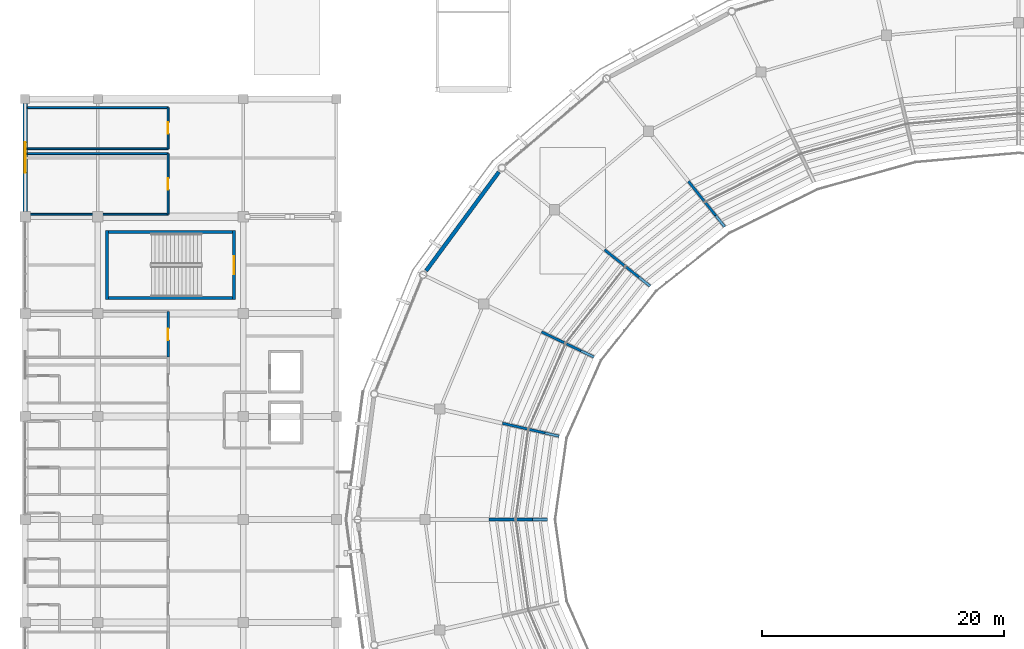
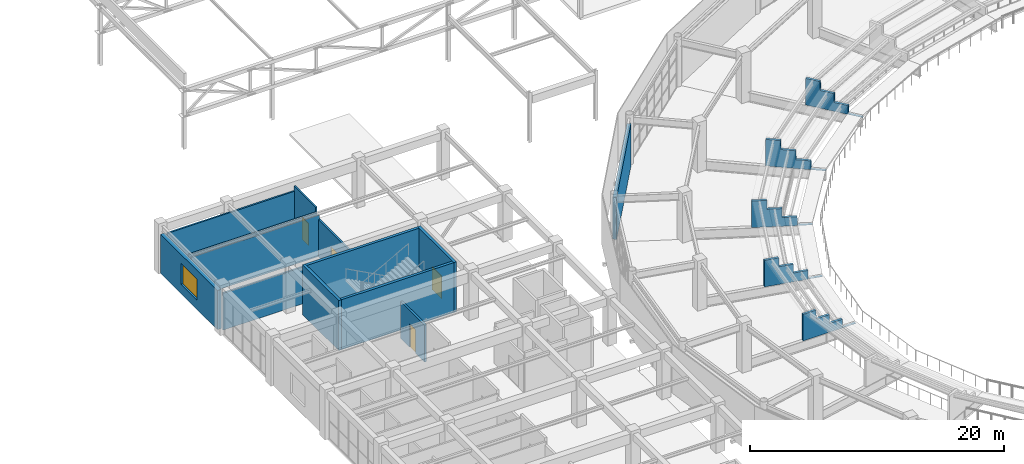
# One storey, part 98 of 122: 18 walls, 4 doors, 1 window, 5 openings.
"""IFC4 building model written with IfcOpenShell, lengths in metres."""

from ifc_helpers import new_model, si_unit, direction, frame, frame_2d, origin, place, context, subcontext, project, spatial, polyline, rectangle, outline, extrude, material, layer, layer_set, type_object, element, fill, save


model = new_model("IFC4")

# Units and contexts
model_context = context("Model", 3, precision=1e-05, world=origin(), true_north=direction((0.0, 1.0)))
body_context = subcontext(model_context, "Body", "Model", "MODEL_VIEW")
ifc_project = project(units=[si_unit("LENGTHUNIT", "METRE"), si_unit("AREAUNIT", "SQUARE_METRE"), si_unit("VOLUMEUNIT", "CUBIC_METRE"), si_unit("PLANEANGLEUNIT", "RADIAN"), si_unit("MASSUNIT", "GRAM", prefix="KILO")], contexts=[model_context])

# Site, building, storey
site_placement = place(None, origin())
site = spatial("IfcSite", under=ifc_project, at=site_placement, CompositionType="ELEMENT")
building_placement = place(site_placement, origin())
building = spatial("IfcBuilding", under=site, at=building_placement, Name="Cuetzalor Civic Arena", CompositionType="ELEMENT")
storey_placement = place(building_placement, frame((0.0, 0.0, 16.199951171875)))
storey = spatial("IfcBuildingStorey", under=building, at=storey_placement, Name="L03", CompositionType="ELEMENT", Elevation=16.199951171875)

# Walls
ifc_material_1 = material(Name="Acoustic steel-stud gypsum partition", Category="steel")
ifc_layer_1 = layer(ifc_material_1, 0.14990234375)
ifc_layer_set_1 = layer_set([ifc_layer_1], Name="Acoustic steel-stud gypsum partition")
wall_type_1 = type_object("IfcWallType", Name="AcousticGypsumPartition_150", PredefinedType="PARTITIONING", material=ifc_layer_set_1)
wall_1_placement = place(storey_placement, frame((-81.820068359375, 30.199951171875, 0.0), z_axis=(0.0, 0.0, 1.0), x_axis=(1.0, 0.0, 0.0)))
element("IfcWall", 1, at=wall_1_placement, inside=storey, type_object=wall_type_1, Name="Interior Partition IWALL:L03:0432", PredefinedType="PARTITIONING", context=body_context, shape_type="SweptSolid", body=[
    extrude(rectangle(XDim=11.6201171875, YDim=0.14990234375, at=frame_2d((5.81005859375, 0.0))), origin(), (0.0, 0.0, 1.0), 3.962158203125),
])
wall_2_placement = place(storey_placement, frame((-70.199951171875, 25.199951171875, 0.0), z_axis=(0.0, 0.0, 1.0), x_axis=(-1.0, 0.0, 0.0)))
element("IfcWall", 2, at=wall_2_placement, inside=storey, type_object=wall_type_1, Name="Interior Partition IWALL:L03:0433", PredefinedType="PARTITIONING", context=body_context, shape_type="SweptSolid", body=[
    extrude(rectangle(XDim=11.6201171875, YDim=0.14990234375, at=frame_2d((5.81005859375, 0.0))), origin(), (0.0, 0.0, 1.0), 3.545166015625),
])

# Wall, opening, door
wall_3_placement = place(storey_placement, frame((-70.199951171875, 30.199951171875, 0.0), z_axis=(0.0, 0.0, 1.0), x_axis=(0.0, -1.0, 0.0)))
wall_3 = element("IfcWall", 3, at=wall_3_placement, inside=storey, type_object=wall_type_1, Name="Interior Partition IWALL:L03:0434", PredefinedType="PARTITIONING", context=body_context, shape_type="SweptSolid", body=[
    extrude(rectangle(XDim=5.0, YDim=0.14990234375, at=frame_2d((2.5, 0.0))), origin(), (0.0, 0.0, 1.0), 3.545166015625),
])
opening_1_placement = place(wall_3_placement, frame((2.02490234375, 0.0, 0.0)))
opening_1 = element("IfcOpeningElement", 4, at=opening_1_placement, cuts=wall_3, Name="Opening ID-03", PredefinedType="OPENING", context=body_context, shape_type="SweptSolid", body=[
    extrude(rectangle(XDim=0.949951171875, YDim=2.14990234375, at=frame_2d((0.47509765625, 1.074951171875))), frame((0.0, 0.0849609375, 0.0), z_axis=(0.0, -1.0, 0.0), x_axis=(1.0, 0.0, 0.0)), (0.0, 0.0, 1.0), 0.169921875),
])
ifc_material_2 = material(Name="Painted steel frame and solid timber leaf", Category="steel")
door_type_1 = type_object("IfcDoorType", Name="InteriorSingleDoor_950x2150", OperationType="NOTDEFINED", PredefinedType="DOOR", material=ifc_material_2)
door_1_placement = place(opening_1_placement, origin())
door_1 = element("IfcDoor", 5, at=door_1_placement, inside=storey, type_object=door_type_1, Name="Door to Public Restroom West L03", OperationType="SINGLE_SWING_LEFT", OverallHeight=2.14990234375, OverallWidth=0.949951171875, PredefinedType="DOOR", context=body_context, shape_type="SweptSolid", body=[
    extrude(rectangle(XDim=0.949951171875, YDim=2.14990234375, at=frame_2d((0.47509765625, 1.074951171875))), frame((0.0, 0.02490234375, 0.0), z_axis=(0.0, -1.0, 0.0), x_axis=(1.0, 0.0, 0.0)), (0.0, 0.0, 1.0), 0.050048828125),
])
fill(opening_1, door_1)

# Walls
for number, where, z_axis, x_axis, name in (
    (6, (-81.820068359375, 34.0, 0.0), (0.0, 0.0, 1.0), (1.0, 0.0, 0.0), "Interior Partition IWALL:L03:0435"),
    (7, (-70.199951171875, 30.60009765625, 0.0), (0.0, 0.0, 1.0), (-1.0, 0.0, 0.0), "Interior Partition IWALL:L03:0436"),
):
    element("IfcWall", number, at=place(storey_placement, frame(where, z_axis=z_axis, x_axis=x_axis)), inside=storey, type_object=wall_type_1, Name=name, PredefinedType="PARTITIONING", context=body_context, shape_type="SweptSolid", body=[
        extrude(rectangle(XDim=11.6201171875, YDim=0.14990234375, at=frame_2d((5.81005859375, 0.0))), origin(), (0.0, 0.0, 1.0), 3.962158203125),
    ])

# Wall, opening, door
wall_4_placement = place(storey_placement, frame((-70.199951171875, 34.0, 0.0), z_axis=(0.0, 0.0, 1.0), x_axis=(0.0, -1.0, 0.0)))
wall_4 = element("IfcWall", 8, at=wall_4_placement, inside=storey, type_object=wall_type_1, Name="Interior Partition IWALL:L03:0437", PredefinedType="PARTITIONING", context=body_context, shape_type="SweptSolid", body=[
    extrude(rectangle(XDim=3.39990234375, YDim=0.14990234375, at=frame_2d((1.699951171875, 0.0))), origin(), (0.0, 0.0, 1.0), 4.43994140625),
])
opening_2_placement = place(wall_4_placement, frame((1.22509765625, 0.0, 0.0)))
opening_2 = element("IfcOpeningElement", 9, at=opening_2_placement, cuts=wall_4, Name="Opening ID-03", PredefinedType="OPENING", context=body_context, shape_type="SweptSolid", body=[
    extrude(rectangle(XDim=0.949951171875, YDim=2.14990234375, at=frame_2d((0.47509765625, 1.074951171875))), frame((0.0, 0.0849609375, 0.0), z_axis=(0.0, -1.0, 0.0), x_axis=(1.0, 0.0, 0.0)), (0.0, 0.0, 1.0), 0.169921875),
])
door_2_placement = place(opening_2_placement, origin())
door_2 = element("IfcDoor", 10, at=door_2_placement, inside=storey, type_object=door_type_1, Name="Door to Accessible WC West L03", OperationType="SINGLE_SWING_RIGHT", OverallHeight=2.14990234375, OverallWidth=0.949951171875, PredefinedType="DOOR", context=body_context, shape_type="SweptSolid", body=[
    extrude(rectangle(XDim=0.949951171875, YDim=2.14990234375, at=frame_2d((0.47509765625, 1.074951171875))), frame((0.0, 0.02490234375, 0.0), z_axis=(0.0, -1.0, 0.0), x_axis=(1.0, 0.0, 0.0)), (0.0, 0.0, 1.0), 0.050048828125),
])
fill(opening_2, door_2)

# Walls
ifc_material_3 = material(Name="Concrete C40/50", Category="concrete")
ifc_layer_2 = layer(ifc_material_3, 0.25)
ifc_layer_set_2 = layer_set([ifc_layer_2], Name="Concrete C40/50")
wall_type_2 = type_object("IfcWallType", Name="ConcreteCoreShearWall_250", PredefinedType="SHEAR", material=ifc_layer_set_2)
wall_5_placement = place(storey_placement, frame((-75.22509765625, 18.14990234375, 0.0), z_axis=(0.0, 0.0, 1.0), x_axis=(0.0, 1.0, 0.0)))
element("IfcWall", 11, at=wall_5_placement, inside=storey, type_object=wall_type_2, Name="Stair Core Shear Wall ST-17-L03-W", PredefinedType="SHEAR", context=body_context, shape_type="SweptSolid", body=[
    extrude(rectangle(XDim=5.7001953125, YDim=0.25, at=frame_2d((2.85009765625, 0.0))), origin(), (0.0, 0.0, 1.0), 4.800048828125),
])
wall_6_placement = place(storey_placement, frame((-75.10009765625, 23.72509765625, 0.0), z_axis=(0.0, 0.0, 1.0), x_axis=(1.0, 0.0, 0.0)))
element("IfcWall", 12, at=wall_6_placement, inside=storey, type_object=wall_type_2, Name="Stair Core Shear Wall ST-17-L03-N", PredefinedType="SHEAR", context=body_context, shape_type="SweptSolid", body=[
    extrude(rectangle(XDim=10.2001953125, YDim=0.25, at=frame_2d((5.10009765625, 0.0))), origin(), (0.0, 0.0, 1.0), 4.800048828125),
])

# Wall, opening, door
wall_7_placement = place(storey_placement, frame((-64.77490234375, 23.85009765625, 0.0), z_axis=(0.0, 0.0, 1.0), x_axis=(0.0, -1.0, 0.0)))
wall_7 = element("IfcWall", 13, at=wall_7_placement, inside=storey, type_object=wall_type_2, Name="Stair Core Shear Wall ST-17-L03-E", PredefinedType="SHEAR", context=body_context, shape_type="SweptSolid", body=[
    extrude(rectangle(XDim=5.7001953125, YDim=0.25, at=frame_2d((2.85009765625, 0.0))), origin(), (0.0, 0.0, 1.0), 4.800048828125),
])
opening_3_placement = place(wall_7_placement, frame((2.10009765625, 0.0, 0.0)))
opening_3 = element("IfcOpeningElement", 14, at=opening_3_placement, cuts=wall_7, Name="Opening FD-03", PredefinedType="OPENING", context=body_context, shape_type="SweptSolid", body=[
    extrude(rectangle(XDim=1.5, YDim=2.199951171875, at=frame_2d((0.75, 1.10009765625))), frame((0.0, 0.135009765625, 0.0), z_axis=(0.0, -1.0, 0.0), x_axis=(1.0, 0.0, 0.0)), (0.0, 0.0, 1.0), 0.27001953125),
])
ifc_material_4 = material(Name="Fire-rated steel stair exit double door", Category="steel")
door_type_2 = type_object("IfcDoorType", Name="StairFireDoubleDoor_1500x2200", OperationType="DOUBLE_DOOR_SINGLE_SWING", PredefinedType="DOOR", material=ifc_material_4)
door_3_placement = place(opening_3_placement, origin())
door_3 = element("IfcDoor", 15, at=door_3_placement, inside=storey, type_object=door_type_2, Name="Fire Stair Door ST-17 L03", OperationType="DOUBLE_DOOR_SINGLE_SWING", OverallHeight=2.199951171875, OverallWidth=1.5, PredefinedType="DOOR", context=body_context, shape_type="SweptSolid", body=[
    extrude(rectangle(XDim=1.5, YDim=2.199951171875, at=frame_2d((0.75, 1.10009765625))), frame((0.0, 0.02490234375, 0.0), z_axis=(0.0, -1.0, 0.0), x_axis=(1.0, 0.0, 0.0)), (0.0, 0.0, 1.0), 0.050048828125),
])
fill(opening_3, door_3)

# Wall
wall_8_placement = place(storey_placement, frame((-64.89990234375, 18.27490234375, 0.0), z_axis=(0.0, 0.0, 1.0), x_axis=(-1.0, 0.0, 0.0)))
element("IfcWall", 16, at=wall_8_placement, inside=storey, type_object=wall_type_2, Name="Stair Core Shear Wall ST-17-L03-S", PredefinedType="SHEAR", context=body_context, shape_type="SweptSolid", body=[
    extrude(rectangle(XDim=10.2001953125, YDim=0.25, at=frame_2d((5.10009765625, 0.0))), origin(), (0.0, 0.0, 1.0), 4.800048828125),
])

# Wall, opening, door
ifc_material_5 = material(Name="Fire-rated masonry and gypsum partition", Category="masonry")
ifc_layer_3 = layer(ifc_material_5, 0.199951171875)
ifc_layer_set_3 = layer_set([ifc_layer_3], Name="Fire-rated masonry and gypsum partition")
wall_type_3 = type_object("IfcWallType", Name="FireCompartmentWall_200", PredefinedType="PARTITIONING", material=ifc_layer_set_3)
wall_9_placement = place(storey_placement, frame((-70.199951171875, 17.179931640625, 0.0), z_axis=(0.0, 0.0, 1.0), x_axis=(0.0, -1.0, 0.0)))
wall_9 = element("IfcWall", 17, at=wall_9_placement, inside=storey, type_object=wall_type_3, Name="Interior Partition IWALL:L03:0430", PredefinedType="PARTITIONING", context=body_context, shape_type="SweptSolid", body=[
    extrude(rectangle(XDim=3.780029296875, YDim=0.199951171875, at=frame_2d((1.89013671875, 0.0))), origin(), (0.0, 0.0, 1.0), 3.545166015625),
])
opening_4_placement = place(wall_9_placement, frame((1.4150390625, 0.0, 0.0)))
opening_4 = element("IfcOpeningElement", 18, at=opening_4_placement, cuts=wall_9, Name="Opening ID-05", PredefinedType="OPENING", context=body_context, shape_type="SweptSolid", body=[
    extrude(rectangle(XDim=0.949951171875, YDim=2.25, at=frame_2d((0.47509765625, 1.125))), frame((0.0, 0.10986328125, 0.0), z_axis=(0.0, -1.0, 0.0), x_axis=(1.0, 0.0, 0.0)), (0.0, 0.0, 1.0), 0.219970703125),
])
ifc_material_6 = material(Name="Bronze-clad fire-rated acoustic timber door", Category="wood")
door_type_3 = type_object("IfcDoorType", Name="SuiteEntryDoor_950x2150", OperationType="NOTDEFINED", PredefinedType="DOOR", material=ifc_material_6)
door_4_placement = place(opening_4_placement, origin())
door_4 = element("IfcDoor", 19, at=door_4_placement, inside=storey, type_object=door_type_3, Name="Door to Private Viewing Suite 311", OperationType="SINGLE_SWING_RIGHT", OverallHeight=2.25, OverallWidth=0.949951171875, PredefinedType="DOOR", context=body_context, shape_type="SweptSolid", body=[
    extrude(rectangle(XDim=0.949951171875, YDim=2.25, at=frame_2d((0.47509765625, 1.125))), frame((0.0, 0.02490234375, 0.0), z_axis=(0.0, -1.0, 0.0), x_axis=(1.0, 0.0, 0.0)), (0.0, 0.0, 1.0), 0.050048828125),
])
fill(opening_4, door_4)

# Walls
ifc_material_7 = material(Name="Precast concrete C40/50 insulated cladding", Category="concrete")
ifc_layer_4 = layer(ifc_material_7, 0.320068359375)
ifc_layer_set_4 = layer_set([ifc_layer_4], Name="Precast concrete C40/50 insulated cladding")
wall_type_4 = type_object("IfcWallType", Name="InsulatedPrecastWall_320", PredefinedType="SOLIDWALL", material=ifc_layer_set_4)
wall_10_placement = place(storey_placement, frame((-48.90576171875, 20.526123046875, 0.0), z_axis=(0.0, 0.0, 1.0), x_axis=(0.592929724135, 0.805254209698, 0.0)))
element("IfcWall", 20, at=wall_10_placement, inside=storey, type_object=wall_type_4, Name="Drum Acoustic Backing Wall L03-047", PredefinedType="SOLIDWALL", context=body_context, shape_type="SweptSolid", body=[
    extrude(rectangle(XDim=10.14404296875, YDim=0.320068359375, at=frame_2d((5.072021484375, 0.0))), origin(), (0.0, 0.0, 1.0), 4.052978515625),
])
ifc_material_8 = material(Name="Precast concrete C40/50", Category="concrete")
ifc_layer_5 = layer(ifc_material_8, 0.2099609375)
ifc_layer_set_5 = layer_set([ifc_layer_5], Name="Precast concrete C40/50")
wall_type_5 = type_object("IfcWallType", Name="PrecastBowlRiserWall_210", PredefinedType="SHEAR", material=ifc_layer_set_5)
wall_11_placement = place(storey_placement, frame((-24.25390625, 24.15869140625, 0.9111328125), z_axis=(0.0, 0.0, 1.0), x_axis=(-0.623490937913, 0.781830576494, 0.0)))
element("IfcWall", 21, at=wall_11_placement, inside=storey, type_object=wall_type_5, Name="Upper Bowl Radial Raker Web Wall S11", PredefinedType="SHEAR", context=body_context, shape_type="SweptSolid", body=[
    extrude(outline(polyline([(0.0, 0.0), (4.7998046875, 0.0), (4.800048828125, 2.5439453125), (3.610107421875, 2.5439453125), (3.60009765625, 1.69384765625), (2.409912109375, 1.69384765625), (2.39990234375, 0.843994140625), (1.2099609375, 0.843994140625), (1.199951171875, 0.039794921875), (0.0, 0.039794921875), (0.0, 0.0)])), frame((0.0, 0.10498046875, 0.0), z_axis=(0.0, -1.0, 0.0), x_axis=(1.0, 0.0, 0.0)), (0.0, 0.0, 1.0), 0.2099609375),
])
wall_12_placement = place(storey_placement, frame((-30.4130859375, 19.265869140625, 0.9111328125), z_axis=(0.0, 0.0, 1.0), x_axis=(-0.781850348235, 0.623466144201, 0.0)))
element("IfcWall", 22, at=wall_12_placement, inside=storey, type_object=wall_type_5, Name="Upper Bowl Radial Raker Web Wall S12", PredefinedType="SHEAR", context=body_context, shape_type="SweptSolid", body=[
    extrude(outline(polyline([(0.0, 0.0), (4.800048828125, 0.0), (4.800048828125, 2.5439453125), (3.610107421875, 2.5439453125), (3.60009765625, 1.69384765625), (2.409912109375, 1.69384765625), (2.39990234375, 0.843994140625), (1.2099609375, 0.843994140625), (1.199951171875, 0.039794921875), (0.0, 0.039794921875), (0.0, 0.0)])), frame((0.0, 0.10498046875, 0.0), z_axis=(0.0, -1.0, 0.0), x_axis=(1.0, 0.0, 0.0)), (0.0, 0.0, 1.0), 0.2099609375),
])
wall_13_placement = place(storey_placement, frame((-35.047607421875, 13.406982421875, 0.9111328125), z_axis=(0.0, 0.0, 1.0), x_axis=(-0.900981051808, 0.433858438067, 0.0)))
element("IfcWall", 23, at=wall_13_placement, inside=storey, type_object=wall_type_5, Name="Upper Bowl Radial Raker Web Wall S13", PredefinedType="SHEAR", context=body_context, shape_type="SweptSolid", body=[
    extrude(outline(polyline([(0.0, 0.0), (4.800048828125, 0.0), (4.7998046875, 2.5439453125), (3.60986328125, 2.5439453125), (3.599853515625, 1.69384765625), (2.409912109375, 1.69384765625), (2.39990234375, 0.843994140625), (1.2099609375, 0.843994140625), (1.199951171875, 0.039794921875), (0.0, 0.039794921875), (0.0, 0.0)])), frame((0.0, 0.10498046875, 0.0), z_axis=(0.0, -1.0, 0.0), x_axis=(1.0, 0.0, 0.0)), (0.0, 0.0, 1.0), 0.2099609375),
])
wall_14_placement = place(storey_placement, frame((-37.9248046875, 6.8759765625, 0.9111328125), z_axis=(0.0, 0.0, 1.0), x_axis=(-0.974925072584, 0.222533374683, 0.0)))
element("IfcWall", 24, at=wall_14_placement, inside=storey, type_object=wall_type_5, Name="Upper Bowl Radial Raker Web Wall S14", PredefinedType="SHEAR", context=body_context, shape_type="SweptSolid", body=[
    extrude(outline(polyline([(0.0, 0.0), (4.7998046875, 0.0), (4.7998046875, 2.5439453125), (3.60986328125, 2.5439453125), (3.599853515625, 1.69384765625), (2.409912109375, 1.69384765625), (2.39990234375, 0.843994140625), (1.2099609375, 0.843994140625), (1.199951171875, 0.039794921875), (0.0, 0.039794921875), (0.0, 0.0)])), frame((0.0, 0.10498046875, 0.0), z_axis=(0.0, -1.0, 0.0), x_axis=(1.0, 0.0, 0.0)), (0.0, 0.0, 1.0), 0.2099609375),
])
wall_15_placement = place(storey_placement, frame((-38.89990234375, 0.0, 0.9111328125), z_axis=(0.0, 0.0, 1.0), x_axis=(-1.0, 0.0, 0.0)))
element("IfcWall", 25, at=wall_15_placement, inside=storey, type_object=wall_type_5, Name="Upper Bowl Radial Raker Web Wall S15", PredefinedType="SHEAR", context=body_context, shape_type="SweptSolid", body=[
    extrude(outline(polyline([(0.0, 0.0), (4.800048828125, 0.0), (4.800048828125, 2.5439453125), (3.610107421875, 2.5439453125), (3.60009765625, 1.69384765625), (2.409912109375, 1.69384765625), (2.39990234375, 0.843994140625), (1.2099609375, 0.843994140625), (1.199951171875, 0.039794921875), (0.0, 0.039794921875), (0.0, 0.0)])), frame((0.0, 0.10498046875, 0.0), z_axis=(0.0, -1.0, 0.0), x_axis=(1.0, 0.0, 0.0)), (0.0, 0.0, 1.0), 0.2099609375),
])

# Wall, opening, window
ifc_material_9 = material(Name="Polychrome Talavera ceramic on Concrete C35/45", Category="concrete")
ifc_layer_6 = layer(ifc_material_9, 0.3798828125)
ifc_layer_set_6 = layer_set([ifc_layer_6], Name="Polychrome Talavera ceramic on Concrete C35/45")
wall_type_6 = type_object("IfcWallType", Name="TalaveraSpandrelWall_380", PredefinedType="SOLIDWALL", material=ifc_layer_set_6)
wall_16_placement = place(storey_placement, frame((-82.0, 25.406982421875, 0.0), z_axis=(0.0, 0.0, 1.0), x_axis=(0.0, 1.0, 0.0)))
wall_16 = element("IfcWall", 26, at=wall_16_placement, inside=storey, type_object=wall_type_6, Name="V4W Outer Talavera Wall L03-140", PredefinedType="SOLIDWALL", context=body_context, shape_type="SweptSolid", body=[
    extrude(rectangle(XDim=8.93603515625, YDim=0.3798828125, at=frame_2d((4.468017578125, 0.0))), origin(), (0.0, 0.0, 1.0), 3.760009765625),
])
opening_5_placement = place(wall_16_placement, frame((3.218017578125, 0.0, 0.89990234375)))
opening_5 = element("IfcOpeningElement", 27, at=opening_5_placement, cuts=wall_16, Name="Opening WN-35", PredefinedType="OPENING", context=body_context, shape_type="SweptSolid", body=[
    extrude(rectangle(XDim=2.5, YDim=2.0, at=frame_2d((1.25, 1.0))), frame((0.0, 0.199951171875, 0.0), z_axis=(0.0, -1.0, 0.0), x_axis=(1.0, 0.0, 0.0)), (0.0, 0.0, 1.0), 0.39990234375),
])
ifc_material_10 = material(Name="Anodised bronze aluminium and low-E solar glass", Category="aluminium")
window_type = type_object("IfcWindowType", Name="BronzeThermalWindow_2500x2000", PartitioningType="DOUBLE_PANEL_VERTICAL", PredefinedType="WINDOW", material=ifc_material_10)
window_placement = place(opening_5_placement, origin())
window = element("IfcWindow", 28, at=window_placement, inside=storey, type_object=window_type, Name="V4W Facade Window L03-0035", OverallHeight=2.0, OverallWidth=2.5, PartitioningType="SINGLE_PANEL", PredefinedType="WINDOW", context=body_context, shape_type="SweptSolid", body=[
    extrude(rectangle(XDim=2.5, YDim=2.0, at=frame_2d((1.25, 1.0))), frame((0.0, 0.030029296875, 0.0), z_axis=(0.0, -1.0, 0.0), x_axis=(1.0, 0.0, 0.0)), (0.0, 0.0, 1.0), 0.06005859375),
])
fill(opening_5, window)

save(model, "model.ifc")
